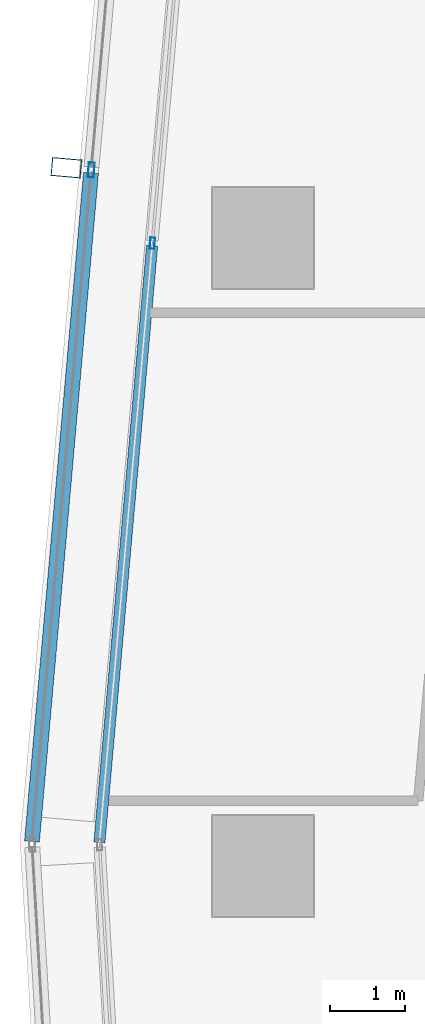
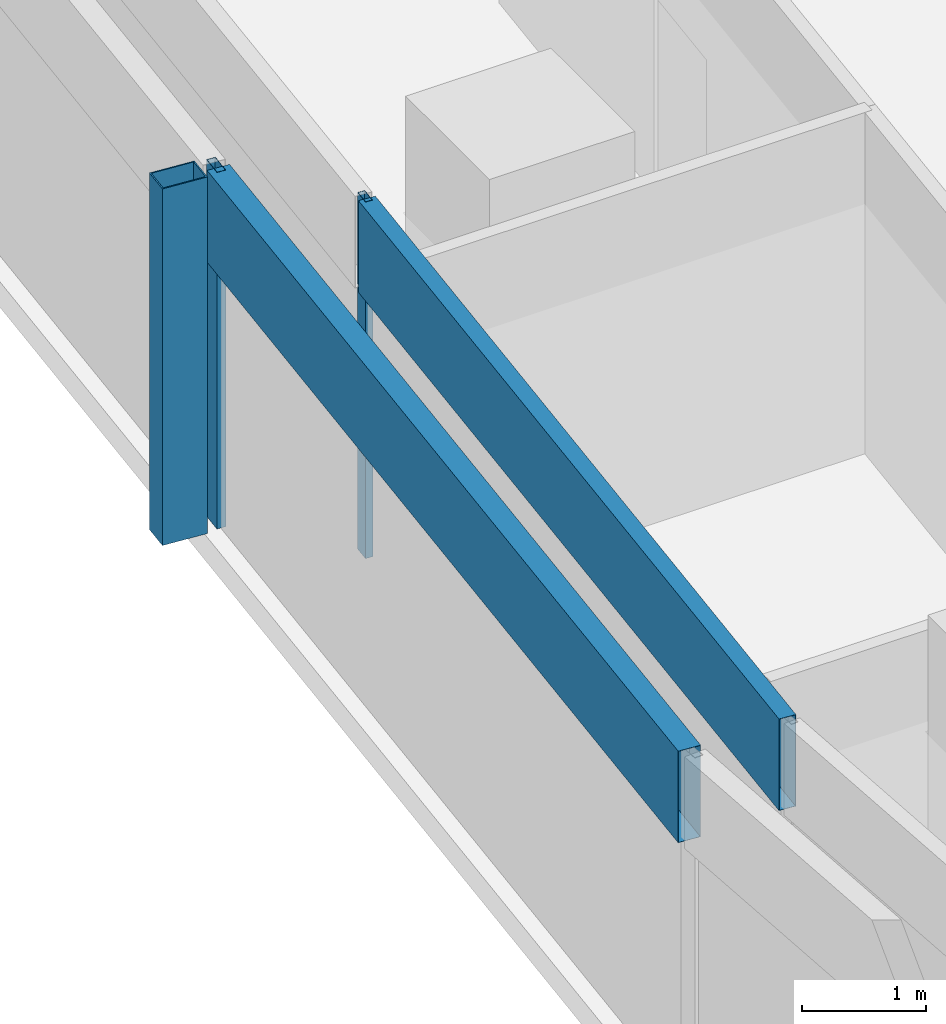
# One storey, part 13 of 33: 5 members, 2 elements without a shape of their own.
"""IFC4 building model written with IfcOpenShell, lengths in metres."""

from ifc_helpers import new_model, si_unit, direction, frame, origin, origin_2d, place, context, subcontext, project, spatial, hollow_rectangle, extrude, material, material_profile, profile_set, type_object, element, aggregate, save


model = new_model("IFC4")

# Units and contexts
model_context = context("Model", 3, precision=1e-05, world=origin(), true_north=direction((0.0, 1.0)))
body_context = subcontext(model_context, "Body", "Model", "MODEL_VIEW")
ifc_project = project(units=[si_unit("LENGTHUNIT", "METRE"), si_unit("AREAUNIT", "SQUARE_METRE"), si_unit("VOLUMEUNIT", "CUBIC_METRE"), si_unit("PLANEANGLEUNIT", "RADIAN"), si_unit("MASSUNIT", "GRAM", prefix="KILO")], contexts=[model_context])

# Site, building, storey
site_placement = place(None, origin())
site = spatial("IfcSite", under=ifc_project, at=site_placement, CompositionType="ELEMENT")
building_placement = place(site_placement, origin())
building = spatial("IfcBuilding", under=site, at=building_placement, Name="Rekha Terrace Tower", CompositionType="ELEMENT")
storey_placement = place(building_placement, frame((0.0, 0.0, 206.449951171875)))
storey = spatial("IfcBuildingStorey", under=building, at=storey_placement, Name="L52", CompositionType="ELEMENT", Elevation=206.449951171875)

# Curtain wall, member
ifc_material_1 = material(Name="Aluminium framing", Category="aluminium")
curtain_wall_type_1 = type_object("IfcCurtainWallType", Name="CW2 double skin outer glazing", PredefinedType="USERDEFINED", material=ifc_material_1)
curtain_wall_1_placement = place(storey_placement, origin())
curtain_wall_1 = element("IfcCurtainWall", 1, at=curtain_wall_1_placement, inside=storey, type_object=curtain_wall_type_1, Name="CW2 double skin outer glazing", ObjectType="DOUBLE SKIN OUTER GLAZING", PredefinedType="USERDEFINED")
ifc_material_2 = material(Name="Steel S355 with fluorocarbon finish", Category="steel")
ifc_material_profile_1 = material_profile(ifc_material_2, hollow_rectangle(XDim=0.25, YDim=0.39990234375, WallThickness=0.012451171875, at=origin_2d()), Name="RHS400x250x12.5")
ifc_profile_set_1 = profile_set([ifc_material_profile_1], Name="Steel S355 with fluorocarbon finish")
member_type_1 = type_object("IfcMemberType", Name="BL1 facade blade RHS 400 x 250", PredefinedType="USERDEFINED", material=ifc_profile_set_1)
member_1_placement = place(storey_placement, frame((5.77001953125, 51.341796875, 0.0), z_axis=(0.0, 0.0, 1.0), x_axis=(-0.087957249501, -0.996124250413, 0.0)))
member_1 = element("IfcMember", 2, at=member_1_placement, type_object=member_type_1, Name="Facade blade", ObjectType="FACADE BLADE", PredefinedType="USERDEFINED", context=body_context, shape_type="SweptSolid", body=[
    extrude(hollow_rectangle(XDim=0.25, YDim=0.39990234375, WallThickness=0.012451171875, at=origin_2d()), origin(), (0.0, 0.0, 1.0), 3.5),
])

# Curtain wall, members
curtain_wall_type_2 = type_object("IfcCurtainWallType", Name="CW1 double skin inner glazing", PredefinedType="USERDEFINED", material=ifc_material_1)
curtain_wall_2_placement = place(storey_placement, origin())
curtain_wall_2 = element("IfcCurtainWall", 3, at=curtain_wall_2_placement, inside=storey, type_object=curtain_wall_type_2, Name="CW1 double skin inner glazing", ObjectType="DOUBLE SKIN INNER GLAZING", PredefinedType="USERDEFINED")
ifc_material_3 = material(Name="Aluminium mullion section", Category="aluminium")
ifc_material_profile_2 = material_profile(ifc_material_3, hollow_rectangle(XDim=0.06494140625, YDim=0.14990234375, WallThickness=0.00390625, at=origin_2d()), Name="AL RHS 65x150")
ifc_profile_set_2 = profile_set([ifc_material_profile_2], Name="Aluminium mullion section")
member_type_2 = type_object("IfcMemberType", Name="CW1 mullion RHS 65 x 150", PredefinedType="MULLION", material=ifc_profile_set_2)
member_2_placement = place(storey_placement, frame((6.920654296875, 50.331787109375, 0.0), z_axis=(0.0, 0.0, 1.0), x_axis=(0.996124185422, -0.087957985523, 0.0)))
member_2 = element("IfcMember", 4, at=member_2_placement, type_object=member_type_2, Name="CW1 mullion 2", PredefinedType="MULLION", context=body_context, shape_type="SweptSolid", body=[
    extrude(hollow_rectangle(XDim=0.06494140625, YDim=0.14990234375, WallThickness=0.00390625, at=origin_2d()), origin(), (0.0, 0.0, 1.0), 3.5),
])
ifc_material_4 = material(Name="Insulated aluminium spandrel box", Category="aluminium")
ifc_material_profile_3 = material_profile(ifc_material_4, hollow_rectangle(XDim=0.14990234375, YDim=0.89990234375, WallThickness=0.0029296875, at=origin_2d()), Name="AL SPANDREL BOX 150x900")
ifc_profile_set_3 = profile_set([ifc_material_profile_3], Name="Insulated aluminium spandrel box")
member_type_3 = type_object("IfcMemberType", Name="CW1 spandrel transom 150 x 900", PredefinedType="USERDEFINED", material=ifc_profile_set_3)
member_3_placement = place(storey_placement, frame((6.917724609375, 50.29931640625, 3.050048828125), z_axis=(-0.087959586596, -0.996124044046, 0.0), x_axis=(0.996124044046, -0.087959586596, 0.0)))
member_3 = element("IfcMember", 5, at=member_3_placement, type_object=member_type_3, Name="CW1 spandrel transom 2", ObjectType="TRANSOM", PredefinedType="USERDEFINED", context=body_context, shape_type="SweptSolid", body=[
    extrude(hollow_rectangle(XDim=0.14990234375, YDim=0.89990234375, WallThickness=0.0029296875, at=origin_2d()), origin(), (0.0, 0.0, 1.0), 8.015869140625),
])
aggregate(curtain_wall_2, [member_2, member_3])

# Member
ifc_material_profile_4 = material_profile(ifc_material_3, hollow_rectangle(XDim=0.080078125, YDim=0.199951171875, WallThickness=0.00390625, at=origin_2d()), Name="AL RHS 80x200")
ifc_profile_set_4 = profile_set([ifc_material_profile_4], Name="Aluminium mullion section")
member_type_4 = type_object("IfcMemberType", Name="CW2 mullion RHS 80 x 200", PredefinedType="MULLION", material=ifc_profile_set_4)
member_4_placement = place(storey_placement, frame((6.103759765625, 51.312255859375, 0.0), z_axis=(0.0, 0.0, 1.0), x_axis=(0.996124185428, -0.087957985453, 0.0)))
member_4 = element("IfcMember", 6, at=member_4_placement, type_object=member_type_4, Name="CW2 mullion 2", PredefinedType="MULLION", context=body_context, shape_type="SweptSolid", body=[
    extrude(hollow_rectangle(XDim=0.080078125, YDim=0.199951171875, WallThickness=0.00390625, at=origin_2d()), origin(), (0.0, 0.0, 1.0), 3.5),
])

ifc_material_profile_5 = material_profile(ifc_material_4, hollow_rectangle(XDim=0.199951171875, YDim=0.89990234375, WallThickness=0.0029296875, at=origin_2d()), Name="AL SPANDREL BOX 200x900")
ifc_profile_set_5 = profile_set([ifc_material_profile_5], Name="Insulated aluminium spandrel box")
member_type_5 = type_object("IfcMemberType", Name="CW2 spandrel transom 200 x 900", PredefinedType="USERDEFINED", material=ifc_profile_set_5)
member_5_placement = place(storey_placement, frame((6.100341796875, 51.2724609375, 3.050048828125), z_axis=(-0.087981092326, -0.996122144816, 0.0), x_axis=(0.996122144816, -0.087981092326, 0.0)))
member_5 = element("IfcMember", 7, at=member_5_placement, type_object=member_type_5, Name="CW2 spandrel transom 2", ObjectType="TRANSOM", PredefinedType="USERDEFINED", context=body_context, shape_type="SweptSolid", body=[
    extrude(hollow_rectangle(XDim=0.199951171875, YDim=0.89990234375, WallThickness=0.0029296875, at=origin_2d()), origin(), (0.0, 0.0, 1.0), 8.979736328125),
])

aggregate(curtain_wall_1, [member_4, member_5, member_1])

save(model, "model.ifc")
